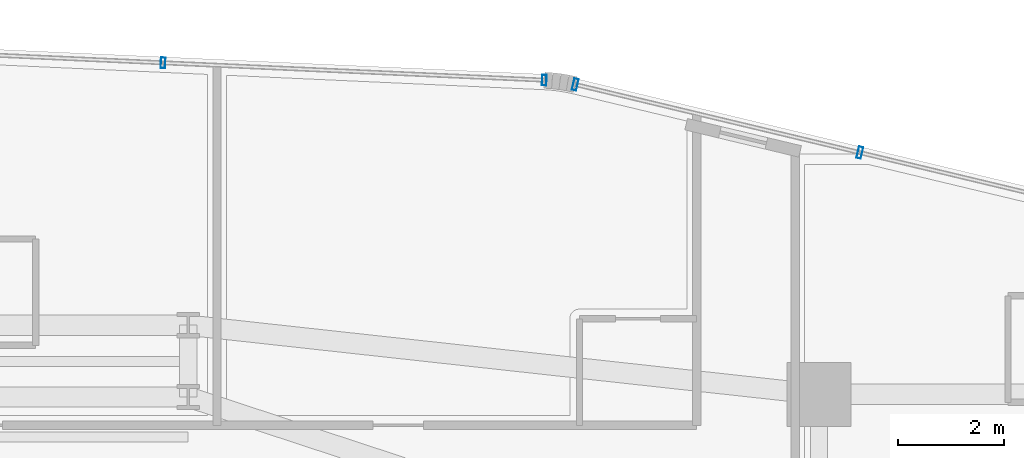
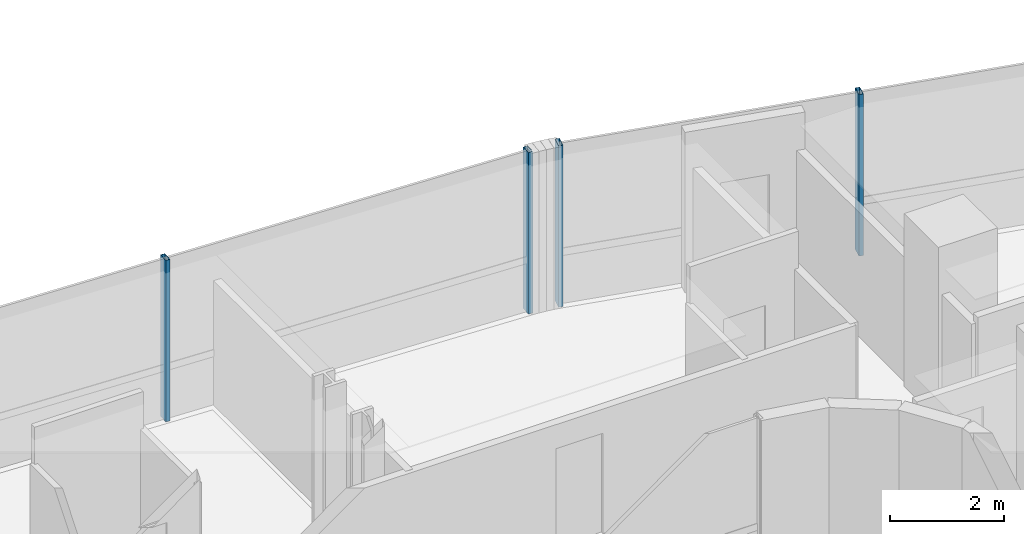
# One storey, part 23 of 35: 4 members, 2 elements without a shape of their own.
"""IFC4 building model written with IfcOpenShell, lengths in metres."""

from ifc_helpers import new_model, si_unit, direction, frame, origin, origin_2d, place, context, subcontext, project, spatial, hollow_rectangle, extrude, source, transform, mapped, material, material_profile, profile_set, type_object, element, aggregate, save


model = new_model("IFC4")

# Units and contexts
model_context = context("Model", 3, precision=1e-05, world=origin(), true_north=direction((0.0, 1.0)))
body_context = subcontext(model_context, "Body", "Model", "MODEL_VIEW")
ifc_project = project(units=[si_unit("LENGTHUNIT", "METRE"), si_unit("AREAUNIT", "SQUARE_METRE"), si_unit("VOLUMEUNIT", "CUBIC_METRE"), si_unit("PLANEANGLEUNIT", "RADIAN"), si_unit("MASSUNIT", "GRAM", prefix="KILO")], contexts=[model_context])

# Site, building, storey
site_placement = place(None, origin())
site = spatial("IfcSite", under=ifc_project, at=site_placement, CompositionType="ELEMENT")
building_placement = place(site_placement, origin())
building = spatial("IfcBuilding", under=site, at=building_placement, Name="Valdorenza Pilgrim Sanctuary Tower", CompositionType="ELEMENT")
storey_placement = place(building_placement, frame((0.0, 0.0, 116.800048828125)))
storey = spatial("IfcBuildingStorey", under=building, at=storey_placement, Name="L29", CompositionType="ELEMENT", Elevation=116.800048828125)

# Curtain wall, members
ifc_material_1 = material(Name="Curtain-wall IGU glazing", Category="glass")
curtain_wall_type_1 = type_object("IfcCurtainWallType", Name="CW-SYS-02", PredefinedType="NOTDEFINED", material=ifc_material_1)
curtain_wall_1_placement = place(storey_placement, origin())
curtain_wall_1 = element("IfcCurtainWall", 1, at=curtain_wall_1_placement, inside=storey, type_object=curtain_wall_type_1, Name="L29 Curtain Wall CW-L29-1-11", PredefinedType="NOTDEFINED")
ifc_material_2 = material(Name="Anodised aluminium AW-6060", Category="aluminium")
ifc_material_profile_1 = material_profile(ifc_material_2, hollow_rectangle(XDim=0.0849609375, YDim=0.199951171875, WallThickness=0.0048828125, at=origin_2d()), Name="ALU-M 200x85x5")
ifc_profile_set_1 = profile_set([ifc_material_profile_1], Name="Anodised aluminium AW-6060")
member_type_1 = type_object("IfcMemberType", Name="CW-MUL-02", PredefinedType="MULLION", material=ifc_profile_set_1)
shared_shape_1 = source(origin(), body_context, "Body", "SweptSolid", [
    extrude(hollow_rectangle(XDim=0.0849609375, YDim=0.199951171875, WallThickness=0.0048828125, at=origin_2d()), origin(), (0.0, 0.0, 1.0), 3.4599609375),
])
member_1_placement = place(storey_placement, frame((3.528076171875, 19.7294921875, 0.0), z_axis=(0.0, 0.0, 1.0), x_axis=(0.998968193221, -0.045415294044, 0.0)))
member_1 = element("IfcMember", 2, at=member_1_placement, type_object=member_type_1, Name="CW-L29-1-11 Mullion 3", PredefinedType="MULLION", context=body_context, shape_type="MappedRepresentation", body=[
    mapped(shared_shape_1, transform((0.0, 0.0, 0.0), x_axis=(1.0, 0.0, 0.0), y_axis=(0.0, 1.0, 0.0), z_axis=(0.0, 0.0, 1.0), scale=1.0)),
])
member_2_placement = place(storey_placement, frame((10.68994140625, 19.404052734375, 0.0), z_axis=(0.0, 0.0, 1.0), x_axis=(0.998968193221, -0.045415294044, 0.0)))
member_2 = element("IfcMember", 3, at=member_2_placement, type_object=member_type_1, Name="CW-L29-1-11 Mullion 4", PredefinedType="MULLION", context=body_context, shape_type="MappedRepresentation", body=[
    mapped(shared_shape_1, transform((0.0, 0.0, 0.0), x_axis=(1.0, 0.0, 0.0), y_axis=(0.0, 1.0, 0.0), z_axis=(0.0, 0.0, 1.0), scale=1.0)),
])
aggregate(curtain_wall_1, [member_1, member_2])

curtain_wall_type_2 = type_object("IfcCurtainWallType", Name="CW-SYS-03", PredefinedType="NOTDEFINED", material=ifc_material_1)
curtain_wall_2_placement = place(storey_placement, origin())
curtain_wall_2 = element("IfcCurtainWall", 4, at=curtain_wall_2_placement, inside=storey, type_object=curtain_wall_type_2, Name="L29 Curtain Wall CW-L29-1-16", PredefinedType="NOTDEFINED")
ifc_material_profile_2 = material_profile(ifc_material_2, hollow_rectangle(XDim=0.0849609375, YDim=0.219970703125, WallThickness=0.0048828125, at=origin_2d()), Name="ALU-M 220x85x5")
ifc_profile_set_2 = profile_set([ifc_material_profile_2], Name="Anodised aluminium AW-6060")
member_type_2 = type_object("IfcMemberType", Name="CW-MUL-03", PredefinedType="MULLION", material=ifc_profile_set_2)
shared_shape_2 = source(origin(), body_context, "Body", "SweptSolid", [
    extrude(hollow_rectangle(XDim=0.0849609375, YDim=0.219970703125, WallThickness=0.0048828125, at=origin_2d()), origin(), (0.0, 0.0, 1.0), 3.4599609375),
])
member_3_placement = place(storey_placement, frame((11.271484375, 19.322021484375, 0.0), z_axis=(0.0, 0.0, 1.0), x_axis=(0.972528596343, -0.232783438617, 0.0)))
member_3 = element("IfcMember", 5, at=member_3_placement, type_object=member_type_2, Name="CW-L29-1-16 Mullion 1", PredefinedType="MULLION", context=body_context, shape_type="MappedRepresentation", body=[
    mapped(shared_shape_2, transform((0.0, 0.0, 0.0), x_axis=(1.0, 0.0, 0.0), y_axis=(0.0, 1.0, 0.0), z_axis=(0.0, 0.0, 1.0), scale=1.0)),
])
member_4_placement = place(storey_placement, frame((16.617919921875, 18.042236328125, 0.0), z_axis=(0.0, 0.0, 1.0), x_axis=(0.972528596343, -0.232783438617, 0.0)))
member_4 = element("IfcMember", 6, at=member_4_placement, type_object=member_type_2, Name="CW-L29-1-16 Mullion 2", PredefinedType="MULLION", context=body_context, shape_type="MappedRepresentation", body=[
    mapped(shared_shape_2, transform((0.0, 0.0, 0.0), x_axis=(1.0, 0.0, 0.0), y_axis=(0.0, 1.0, 0.0), z_axis=(0.0, 0.0, 1.0), scale=1.0)),
])
aggregate(curtain_wall_2, [member_3, member_4])

save(model, "model.ifc")
